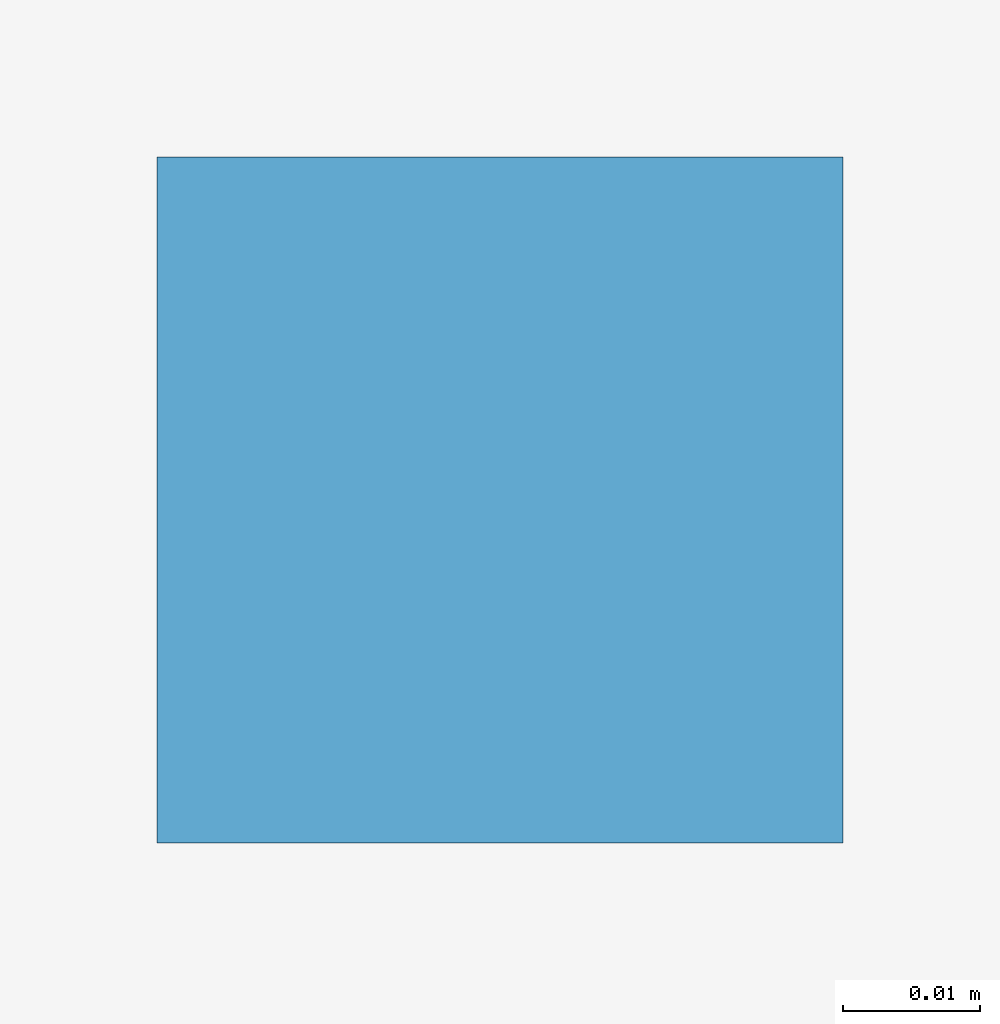
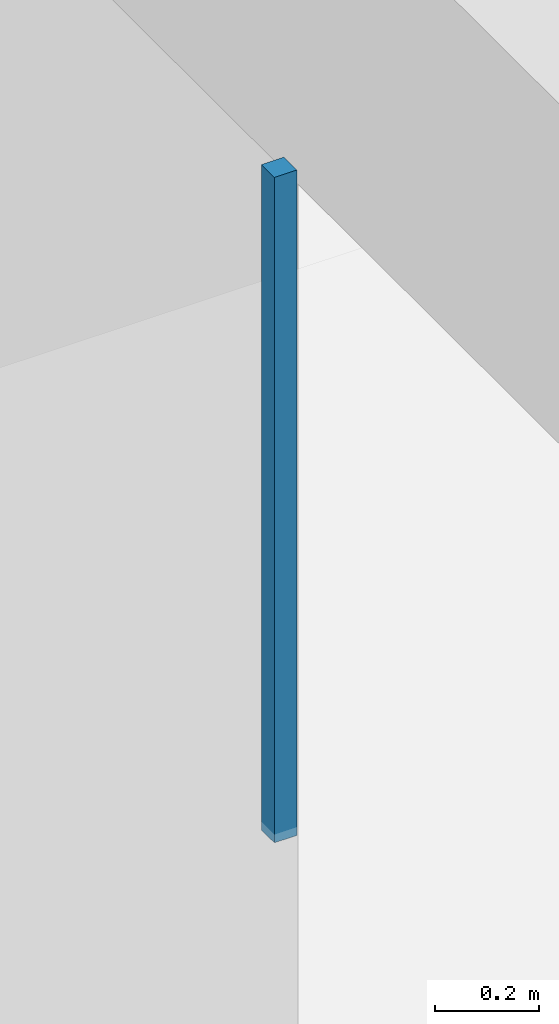
# One storey, part 42 of 54: 1 discrete accessory.
"""IFC4 building model written with IfcOpenShell, lengths in metres."""

from ifc_helpers import new_model, si_unit, direction, frame, origin, origin_2d, place, context, subcontext, project, spatial, rectangle, extrude, material, type_object, element, save


model = new_model("IFC4")

# Units and contexts
model_context = context("Model", 3, precision=1e-05, world=origin(), true_north=direction((0.0, 1.0)))
body_context = subcontext(model_context, "Body", "Model", "MODEL_VIEW")
ifc_project = project(units=[si_unit("LENGTHUNIT", "METRE"), si_unit("AREAUNIT", "SQUARE_METRE"), si_unit("VOLUMEUNIT", "CUBIC_METRE"), si_unit("PLANEANGLEUNIT", "RADIAN"), si_unit("MASSUNIT", "GRAM", prefix="KILO")], contexts=[model_context])

# Site, building, storey
site_placement = place(None, origin())
site = spatial("IfcSite", under=ifc_project, at=site_placement, CompositionType="ELEMENT")
building_placement = place(site_placement, origin())
building = spatial("IfcBuilding", under=site, at=building_placement, Name="Kazehaya Institute of Natural Sciences", CompositionType="ELEMENT")
storey_placement = place(building_placement, frame((0.0, 0.0, 5.39990234375)))
storey = spatial("IfcBuildingStorey", under=building, at=storey_placement, Name="L01", CompositionType="ELEMENT", Elevation=5.39990234375)

# Discrete accessory
ifc_material = material(Name="Structural steel SN490B", Category="steel")
discrete_accessory_type = type_object("IfcDiscreteAccessoryType", Name="ACC-CLG-HGR", PredefinedType="BRACKET", material=ifc_material)
discrete_accessory_placement = place(storey_placement, frame((103.989990234375, 32.625, 3.392578125), z_axis=(0.0, 0.0, 1.0), x_axis=(1.0, 0.0, 0.0)))
element("IfcDiscreteAccessory", 1, at=discrete_accessory_placement, inside=storey, type_object=discrete_accessory_type, Name="L01 ceiling suspension hanger 17", PredefinedType="BRACKET", context=body_context, shape_type="SweptSolid", body=[
    extrude(rectangle(XDim=0.050048828125, YDim=0.050048828125, at=origin_2d()), origin(), (0.0, 0.0, 1.0), 1.5673828125),
])

save(model, "model.ifc")
